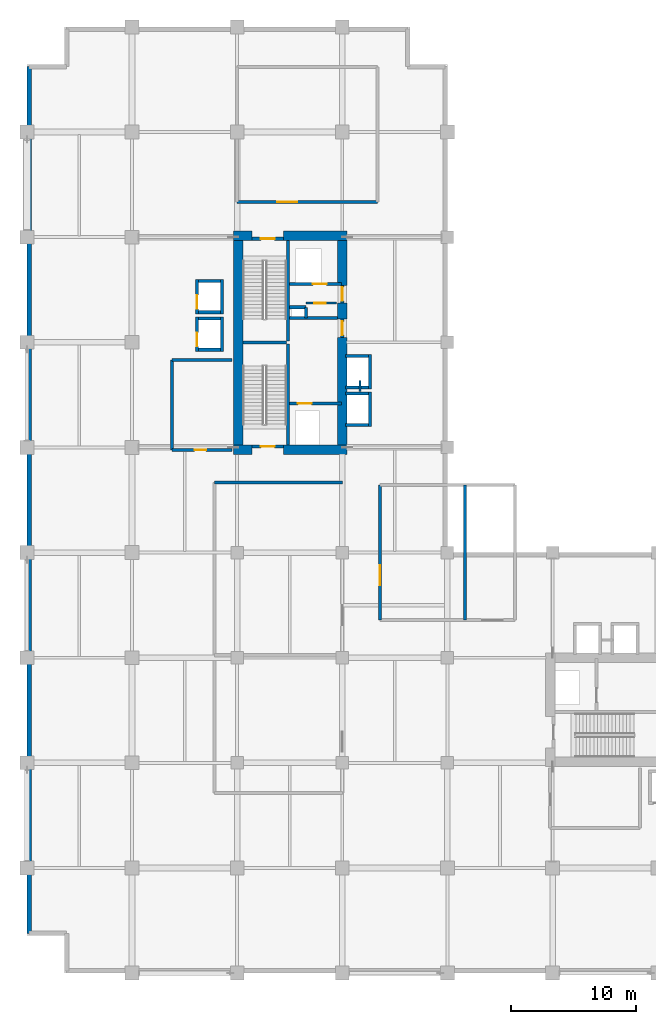
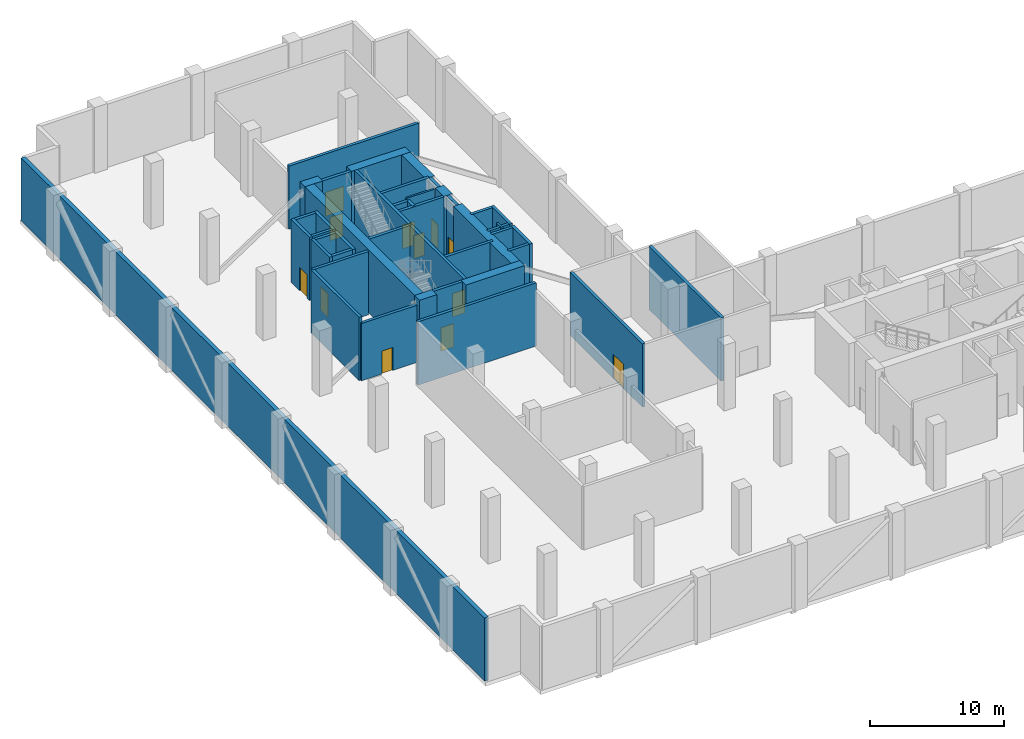
# One storey, part 13 of 16: 44 walls, 12 doors, 12 openings.
"""IFC4 building model written with IfcOpenShell, lengths in metres."""

import ifcopenshell
import ifcopenshell.guid

model = None  # the IFC model being written
_history = None  # IfcOwnerHistory: only IFC2X3 demands one
_inside = {}  # id of a spatial element -> (the spatial element, [elements in it])
_under = {}  # id of a project, library or spatial element -> (it, [spatial elements below it])
_declared = {}  # id of a project -> (the project, [libraries it declares])
_typed = {}  # id of a type object -> (the type object, [elements of that type])
_made_of = {}  # id of a material, layer set ... -> (it, [elements and type objects made of it])


def new_model(schema):
    """Start an empty IFC model of exactly this schema.

    Asked for "IFC4X3", IfcOpenShell would pick the latest addendum, in which some entities
    have other attributes; the version numbers below select the first issue.
    IFC2X3 requires an IfcOwnerHistory on every rooted entity: one is made here for all.
    """
    global model, _history
    if schema == "IFC4X3":
        model = ifcopenshell.file(schema_version=(4, 3, 0, 0))
    else:
        model = ifcopenshell.file(schema=schema)
    _inside.clear()
    _under.clear()
    _declared.clear()
    _typed.clear()
    _made_of.clear()
    _history = None
    if model.schema == "IFC2X3":
        org = make("IfcOrganization", Name="unknown")
        user = make(
            "IfcPersonAndOrganization",
            ThePerson=make("IfcPerson", FamilyName="unknown"),
            TheOrganization=org,
        )
        app = make(
            "IfcApplication",
            ApplicationDeveloper=org,
            Version="unknown",
            ApplicationFullName="unknown",
            ApplicationIdentifier="unknown",
        )
        _history = make(
            "IfcOwnerHistory",
            OwningUser=user,
            OwningApplication=app,
            ChangeAction="ADDED",
            CreationDate=0,
        )
    return model


def make(cls, **values):
    """One entity of the class cls with the attributes given. An attribute that is None is left unset."""
    return model.create_entity(
        cls, **{name: value for name, value in values.items() if value is not None}
    )


def rooted(cls, **values):
    """An entity with a GlobalId (a new one), such as an element, a storey or a relation."""
    return make(cls, GlobalId=ifcopenshell.guid.new(), OwnerHistory=_history, **values)


def si_unit(unit_type, name, prefix=None):
    """IfcSIUnit, for example si_unit("LENGTHUNIT", "METRE", prefix="MILLI")."""
    return make("IfcSIUnit", UnitType=unit_type, Prefix=prefix, Name=name)


def assignment(units):
    """IfcUnitAssignment: the units of a project."""
    return None if units is None else make("IfcUnitAssignment", Units=units)


def point(xyz):
    """IfcCartesianPoint."""
    return None if xyz is None else make("IfcCartesianPoint", Coordinates=xyz)


def direction(xyz):
    """IfcDirection."""
    return None if xyz is None else make("IfcDirection", DirectionRatios=xyz)


def frame(location, z_axis=None, x_axis=None):
    """IfcAxis2Placement3D, a coordinate frame: its origin and axes. An axis left out is left unset."""
    return make(
        "IfcAxis2Placement3D",
        Location=point(location),
        Axis=direction(z_axis),
        RefDirection=direction(x_axis),
    )


def frame_2d(location, x_axis=None):
    """IfcAxis2Placement2D, a coordinate frame in the plane: its origin and x axis."""
    return make(
        "IfcAxis2Placement2D", Location=point(location), RefDirection=direction(x_axis)
    )


def origin():
    """The frame at (0, 0, 0) with its axes left unset."""
    return frame((0.0, 0.0, 0.0))


def place(relative_to, where):
    """IfcLocalPlacement: puts the frame where relative to a parent placement (None: the world)."""
    return make(
        "IfcLocalPlacement", PlacementRelTo=relative_to, RelativePlacement=where
    )


def context(
    kind, dimensions, precision=None, world=None, true_north=None, identifier=None
):
    """IfcGeometricRepresentationContext, for example the 3D "Model" context."""
    return make(
        "IfcGeometricRepresentationContext",
        ContextIdentifier=identifier,
        ContextType=kind,
        CoordinateSpaceDimension=dimensions,
        Precision=precision,
        WorldCoordinateSystem=world,
        TrueNorth=true_north,
    )


def subcontext(parent, identifier, kind, view, scale=None):
    """IfcGeometricRepresentationSubContext, for example "Body" below "Model"."""
    return make(
        "IfcGeometricRepresentationSubContext",
        ContextIdentifier=identifier,
        ContextType=kind,
        ParentContext=parent,
        TargetScale=scale,
        TargetView=view,
    )


def project(units=None, contexts=None):
    """IfcProject with its units and contexts."""
    return rooted(
        "IfcProject",
        Name="project",
        RepresentationContexts=contexts,
        UnitsInContext=assignment(units),
    )


def spatial(cls, under=None, at=None, **own):
    """A site, building, storey or space (cls), placed at a placement, below another one or the project."""
    s = rooted(cls, ObjectPlacement=at, **own)
    if under is not None:
        _under.setdefault(under.id(), (under, []))[1].append(s)
    return s


def profile(cls, at=None, kind="AREA", **sizes):
    """A parametric profile (cls). Its sizes go by their IFC names, for example OverallWidth=200.0."""
    return make(cls, ProfileType=kind, Position=at, **sizes)


def rectangle(**sizes):
    """IfcRectangleProfileDef."""
    return profile("IfcRectangleProfileDef", **sizes)


def extrude(swept, where, along, depth):
    """IfcExtrudedAreaSolid: the profile swept, set in the frame where, extruded along a direction by depth."""
    return make(
        "IfcExtrudedAreaSolid",
        SweptArea=swept,
        Position=where,
        ExtrudedDirection=direction(along),
        Depth=depth,
    )


def shape(context_of_items, identifier, shape_type, items):
    """IfcShapeRepresentation: the items that make up one representation, for example the "Body"."""
    return make(
        "IfcShapeRepresentation",
        ContextOfItems=context_of_items,
        RepresentationIdentifier=identifier,
        RepresentationType=shape_type,
        Items=items,
    )


def material(Name=None, Category=None):
    """IfcMaterial."""
    return make("IfcMaterial", Name=Name, Category=Category)


def layer(
    of_material, thickness, ventilated=None, Name=None, Category=None, Priority=None
):
    """IfcMaterialLayer: one layer of a wall or slab, of a material (None: an air gap)."""
    return make(
        "IfcMaterialLayer",
        Material=of_material,
        LayerThickness=thickness,
        IsVentilated=ventilated,
        Name=Name,
        Category=Category,
        Priority=Priority,
    )


def layer_set(layers, Name=None):
    """IfcMaterialLayerSet."""
    return make("IfcMaterialLayerSet", MaterialLayers=layers, LayerSetName=Name)


def made_of(thing, what):
    """Note that an element or type object is made of a material, layer set ...; save() writes the relation."""
    if what is not None:
        _made_of.setdefault(what.id(), (what, []))[1].append(thing)
    return thing


def type_object(cls, material=None, **own):
    """A type object (cls), such as IfcWallType, which elements share."""
    return made_of(rooted(cls, **own), material)


def element(
    cls,
    number,
    at=None,
    inside=None,
    cuts=None,
    type_object=None,
    material=None,
    context=None,
    identifier="Body",
    shape_type=None,
    held_by="IfcProductDefinitionShape",
    body=None,
    shapes=None,
    **own,
):
    """One element of the class cls, such as IfcWall. Its Tag is "e" and its number.

    at: its placement. inside: the storey or other place that contains it. cuts: it is an
    opening in that element (IfcRelVoidsElement). A single representation is given by context,
    identifier, shape_type and body (its items); several are given by shapes. held_by: the class
    of the entity that holds the representations. save() writes the other relations.
    """
    e = rooted(cls, Tag="e%d" % number, ObjectPlacement=at, **own)
    if body is not None:
        shapes = [shape(context, identifier, shape_type, body)]
    if shapes is not None:
        e.Representation = make(held_by, Representations=shapes)
    if inside is not None:
        _inside.setdefault(inside.id(), (inside, []))[1].append(e)
    if cuts is not None:
        rooted(
            "IfcRelVoidsElement", RelatingBuildingElement=cuts, RelatedOpeningElement=e
        )
    if type_object is not None:
        _typed.setdefault(type_object.id(), (type_object, []))[1].append(e)
    return made_of(e, material)


def fill(opening, filler):
    """IfcRelFillsElement: the door or window that sits in an opening."""
    return rooted(
        "IfcRelFillsElement",
        RelatingOpeningElement=opening,
        RelatedBuildingElement=filler,
    )


def aggregate(whole, parts):
    """IfcRelAggregates: a whole, such as a stair, and the parts it consists of."""
    return rooted("IfcRelAggregates", RelatingObject=whole, RelatedObjects=parts)


def save(model, path):
    """Write the relations noted so far, then the file.

    IfcRelAggregates (storeys below a building ...), IfcRelContainedInSpatialStructure (elements
    in a storey), IfcRelDefinesByType, IfcRelAssociatesMaterial and IfcRelDeclares: one each for
    every whole, place, type object, material and project.
    """
    for whole, parts in _under.values():
        aggregate(whole, parts)
    for where, things in _inside.values():
        rooted(
            "IfcRelContainedInSpatialStructure",
            RelatedElements=things,
            RelatingStructure=where,
        )
    for kind, things in _typed.values():
        rooted("IfcRelDefinesByType", RelatedObjects=things, RelatingType=kind)
    for what, things in _made_of.values():
        rooted("IfcRelAssociatesMaterial", RelatedObjects=things, RelatingMaterial=what)
    for by, libraries in _declared.values():
        rooted("IfcRelDeclares", RelatingContext=by, RelatedDefinitions=libraries)
    model.write(path)


model = new_model("IFC4")

# Units and contexts
model_context = context("Model", 3, precision=1e-05, world=origin(), true_north=direction((0.0, 1.0)))
body_context = subcontext(model_context, "Body", "Model", "MODEL_VIEW")
ifc_project = project(units=[si_unit("LENGTHUNIT", "METRE"), si_unit("AREAUNIT", "SQUARE_METRE"), si_unit("VOLUMEUNIT", "CUBIC_METRE"), si_unit("PLANEANGLEUNIT", "RADIAN"), si_unit("MASSUNIT", "GRAM", prefix="KILO")], contexts=[model_context])

# Site, building, storey
site_placement = place(None, origin())
site = spatial("IfcSite", under=ifc_project, at=site_placement, CompositionType="ELEMENT")
building_placement = place(site_placement, origin())
building = spatial("IfcBuilding", under=site, at=building_placement, Name="Koriwani Terraces Tower", CompositionType="ELEMENT")
storey_placement = place(building_placement, frame((0.0, 0.0, 162.0)))
storey = spatial("IfcBuildingStorey", under=building, at=storey_placement, Name="L39", CompositionType="ELEMENT", Elevation=162.0)

# Walls
ifc_material_1 = material(Name="Concrete C60/75", Category="concrete")
ifc_layer_1 = layer(ifc_material_1, 0.75, Name="Concrete C60/75")
ifc_layer_set_1 = layer_set([ifc_layer_1], Name="Concrete C60/75")
wall_type_1 = type_object("IfcWallType", Name="WALL_CORE_RC_750", PredefinedType="SHEAR", material=ifc_layer_set_1)
wall_1_placement = place(storey_placement, frame((16.5, 41.824951171875, 0.0), z_axis=(0.0, 0.0, 1.0), x_axis=(1.0, 0.0, 0.0)))
element("IfcWall", 1, at=wall_1_placement, inside=storey, type_object=wall_type_1, Name="L39 West Split Core Shear Wall S1", PredefinedType="SHEAR", context=body_context, shape_type="SweptSolid", body=[
    extrude(rectangle(XDim=1.5, YDim=0.75, at=frame_2d((0.75, 0.0))), origin(), (0.0, 0.0, 1.0), 5.77001953125),
])
wall_2_placement = place(storey_placement, frame((20.5, 41.824951171875, 0.0), z_axis=(0.0, 0.0, 1.0), x_axis=(1.0, 0.0, 0.0)))
element("IfcWall", 2, at=wall_2_placement, inside=storey, type_object=wall_type_1, Name="L39 West Split Core Shear Wall S2", PredefinedType="SHEAR", context=body_context, shape_type="SweptSolid", body=[
    extrude(rectangle(XDim=5.074951171875, YDim=0.75, at=frame_2d((2.53759765625, 0.0))), origin(), (0.0, 0.0, 1.0), 5.77001953125),
])
wall_3_placement = place(storey_placement, frame((16.5, 58.925048828125, 0.0), z_axis=(0.0, 0.0, 1.0), x_axis=(1.0, 0.0, 0.0)))
element("IfcWall", 3, at=wall_3_placement, inside=storey, type_object=wall_type_1, Name="L39 West Split Core Shear Wall N1", PredefinedType="SHEAR", context=body_context, shape_type="SweptSolid", body=[
    extrude(rectangle(XDim=1.5, YDim=0.75, at=frame_2d((0.75, 0.0))), origin(), (0.0, 0.0, 1.0), 5.77001953125),
])
wall_4_placement = place(storey_placement, frame((20.5, 58.925048828125, 0.0), z_axis=(0.0, 0.0, 1.0), x_axis=(1.0, 0.0, 0.0)))
element("IfcWall", 4, at=wall_4_placement, inside=storey, type_object=wall_type_1, Name="L39 West Split Core Shear Wall N2", PredefinedType="SHEAR", context=body_context, shape_type="SweptSolid", body=[
    extrude(rectangle(XDim=5.074951171875, YDim=0.75, at=frame_2d((2.53759765625, 0.0))), origin(), (0.0, 0.0, 1.0), 5.77001953125),
])
wall_5_placement = place(storey_placement, frame((16.875, 42.199951171875, 0.0), z_axis=(0.0, 0.0, 1.0), x_axis=(0.0, 1.0, 0.0)))
element("IfcWall", 5, at=wall_5_placement, inside=storey, type_object=wall_type_1, Name="L39 West Split Core Shear Wall W1", PredefinedType="SHEAR", context=body_context, shape_type="SweptSolid", body=[
    extrude(rectangle(XDim=16.35009765625, YDim=0.75, at=frame_2d((8.175048828125, 0.0))), origin(), (0.0, 0.0, 1.0), 5.77001953125),
])
wall_6_placement = place(storey_placement, frame((25.199951171875, 42.199951171875, 0.0), z_axis=(0.0, 0.0, 1.0), x_axis=(0.0, 1.0, 0.0)))
element("IfcWall", 6, at=wall_6_placement, inside=storey, type_object=wall_type_1, Name="L39 West Split Core Shear Wall E1", PredefinedType="SHEAR", context=body_context, shape_type="SweptSolid", body=[
    extrude(rectangle(XDim=8.60009765625, YDim=0.75, at=frame_2d((4.300048828125, 0.0))), origin(), (0.0, 0.0, 1.0), 5.77001953125),
])
wall_7_placement = place(storey_placement, frame((25.199951171875, 52.280029296875, 0.0), z_axis=(0.0, 0.0, 1.0), x_axis=(0.0, 1.0, 0.0)))
element("IfcWall", 7, at=wall_7_placement, inside=storey, type_object=wall_type_1, Name="L39 West Split Core Shear Wall E2", PredefinedType="SHEAR", context=body_context, shape_type="SweptSolid", body=[
    extrude(rectangle(XDim=1.27001953125, YDim=0.75, at=frame_2d((0.635009765625, 0.0))), origin(), (0.0, 0.0, 1.0), 5.77001953125),
])
wall_8_placement = place(storey_placement, frame((25.199951171875, 54.949951171875, 0.0), z_axis=(0.0, 0.0, 1.0), x_axis=(0.0, 1.0, 0.0)))
element("IfcWall", 8, at=wall_8_placement, inside=storey, type_object=wall_type_1, Name="L39 West Split Core Shear Wall E3", PredefinedType="SHEAR", context=body_context, shape_type="SweptSolid", body=[
    extrude(rectangle(XDim=3.60009765625, YDim=0.75, at=frame_2d((1.800048828125, 0.0))), origin(), (0.0, 0.0, 1.0), 5.77001953125),
])
ifc_material_2 = material(Name="Concrete C50/60", Category="concrete")
ifc_layer_2 = layer(ifc_material_2, 0.35009765625, Name="Concrete C50/60")
ifc_layer_set_2 = layer_set([ifc_layer_2], Name="Concrete C50/60")
wall_type_2 = type_object("IfcWallType", Name="WALL_EXT_BRUTALIST_350", PredefinedType="STANDARD", material=ifc_layer_set_2)
wall_9_placement = place(storey_placement, frame((0.175048828125, 3.175048828125, 0.0), z_axis=(0.0, 0.0, 1.0), x_axis=(0.0, 1.0, 0.0)))
element("IfcWall", 9, at=wall_9_placement, inside=storey, type_object=wall_type_2, Name="L39 Fair-Faced Brutalist Exterior Wall (W)", PredefinedType="STANDARD", context=body_context, shape_type="SweptSolid", body=[
    extrude(rectangle(XDim=69.25, YDim=0.35009765625, at=frame_2d((34.625, 0.0))), origin(), (0.0, 0.0, 1.0), 5.77001953125),
])
ifc_material_3 = material(Name="Concrete C40/50", Category="concrete")
ifc_layer_3 = layer(ifc_material_3, 0.25, Name="Concrete C40/50")
ifc_layer_set_3 = layer_set([ifc_layer_3], Name="Concrete C40/50")
wall_type_3 = type_object("IfcWallType", Name="WALL_SHAFT_RATED_250", PredefinedType="SOLIDWALL", material=ifc_layer_set_3)
for number, where, z_axis, x_axis, name in (
    (10, (20.875, 42.199951171875, 0.0), (0.0, 0.0, 1.0), (0.0, 1.0, 0.0), "L39 West Split Core Web Wall MID1"),
    (11, (20.875, 50.5, 0.0), (0.0, 0.0, 1.0), (0.0, 1.0, 0.0), "L39 West Split Core Web Wall MID2"),
):
    element("IfcWall", number, at=place(storey_placement, frame(where, z_axis=z_axis, x_axis=x_axis)), inside=storey, type_object=wall_type_3, Name=name, PredefinedType="SOLIDWALL", context=body_context, shape_type="SweptSolid", body=[
        extrude(rectangle(XDim=8.050048828125, YDim=0.25, at=frame_2d((4.02490234375, 0.0))), origin(), (0.0, 0.0, 1.0), 5.77001953125),
    ])
wall_10_placement = place(storey_placement, frame((17.25, 50.375, 0.0), z_axis=(0.0, 0.0, 1.0), x_axis=(1.0, 0.0, 0.0)))
element("IfcWall", 12, at=wall_10_placement, inside=storey, type_object=wall_type_3, Name="L39 West Split Core Stair Dividing Wall", PredefinedType="SOLIDWALL", context=body_context, shape_type="SweptSolid", body=[
    extrude(rectangle(XDim=3.5, YDim=0.25, at=frame_2d((1.75, 0.0))), origin(), (0.0, 0.0, 1.0), 5.77001953125),
])

# Wall, opening, door
wall_11_placement = place(storey_placement, frame((18.0, 42.074951171875, 0.0), z_axis=(0.0, 0.0, 1.0), x_axis=(1.0, 0.0, 0.0)))
wall_11 = element("IfcWall", 13, at=wall_11_placement, inside=storey, type_object=wall_type_3, Name="L39 Interior Wall WIN-CW-L39-STS", PredefinedType="SOLIDWALL", context=body_context, shape_type="SweptSolid", body=[
    extrude(rectangle(XDim=2.5, YDim=0.25, at=frame_2d((1.25, 0.0))), origin(), (0.0, 0.0, 1.0), 5.77001953125),
])
opening_1_placement = place(wall_11_placement, frame((0.699951171875, 0.0, 0.0)))
opening_1 = element("IfcOpeningElement", 14, at=opening_1_placement, cuts=wall_11, Name="Opening D-03", PredefinedType="OPENING", context=body_context, shape_type="SweptSolid", body=[
    extrude(rectangle(XDim=1.10009765625, YDim=2.14990234375, at=frame_2d((0.550048828125, 1.074951171875))), frame((0.0, 0.135009765625, 0.0), z_axis=(0.0, -1.0, 0.0), x_axis=(1.0, 0.0, 0.0)), (0.0, 0.0, 1.0), 0.27001953125),
])
ifc_material_4 = material(Name="Steel ASTM A572 Grade 50", Category="steel")
door_type_1 = type_object("IfcDoorType", Name="DOOR_STAIR_FIRE_1100X2150", OperationType="NOTDEFINED", PredefinedType="DOOR", material=ifc_material_4)
door_1_placement = place(opening_1_placement, origin())
door_1 = element("IfcDoor", 15, at=door_1_placement, inside=storey, type_object=door_type_1, Name="L39 Exit Stair ST-W1 Door", OperationType="SINGLE_SWING_LEFT", OverallHeight=2.14990234375, OverallWidth=1.10009765625, PredefinedType="DOOR", context=body_context, shape_type="SweptSolid", body=[
    extrude(rectangle(XDim=1.10009765625, YDim=2.14990234375, at=frame_2d((0.550048828125, 1.074951171875))), frame((0.0, 0.02490234375, 0.0), z_axis=(0.0, -1.0, 0.0), x_axis=(1.0, 0.0, 0.0)), (0.0, 0.0, 1.0), 0.050048828125),
])
fill(opening_1, door_1)

wall_12_placement = place(storey_placement, frame((18.0, 58.675048828125, 0.0), z_axis=(0.0, 0.0, 1.0), x_axis=(1.0, 0.0, 0.0)))
wall_12 = element("IfcWall", 16, at=wall_12_placement, inside=storey, type_object=wall_type_3, Name="L39 Interior Wall WIN-CW-L39-STN", PredefinedType="SOLIDWALL", context=body_context, shape_type="SweptSolid", body=[
    extrude(rectangle(XDim=2.5, YDim=0.25, at=frame_2d((1.25, 0.0))), origin(), (0.0, 0.0, 1.0), 5.77001953125),
])
opening_2_placement = place(wall_12_placement, frame((0.699951171875, 0.0, 0.0)))
opening_2 = element("IfcOpeningElement", 17, at=opening_2_placement, cuts=wall_12, Name="Opening D-03", PredefinedType="OPENING", context=body_context, shape_type="SweptSolid", body=[
    extrude(rectangle(XDim=1.10009765625, YDim=2.14990234375, at=frame_2d((0.550048828125, 1.074951171875))), frame((0.0, 0.135009765625, 0.0), z_axis=(0.0, -1.0, 0.0), x_axis=(1.0, 0.0, 0.0)), (0.0, 0.0, 1.0), 0.27001953125),
])
door_2_placement = place(opening_2_placement, origin())
door_2 = element("IfcDoor", 18, at=door_2_placement, inside=storey, type_object=door_type_1, Name="L39 Exit Stair ST-W2 Door", OperationType="SINGLE_SWING_RIGHT", OverallHeight=2.14990234375, OverallWidth=1.10009765625, PredefinedType="DOOR", context=body_context, shape_type="SweptSolid", body=[
    extrude(rectangle(XDim=1.10009765625, YDim=2.14990234375, at=frame_2d((0.550048828125, 1.074951171875))), frame((0.0, 0.02490234375, 0.0), z_axis=(0.0, -1.0, 0.0), x_axis=(1.0, 0.0, 0.0)), (0.0, 0.0, 1.0), 0.050048828125),
])
fill(opening_2, door_2)

wall_13_placement = place(storey_placement, frame((21.0, 45.5, 0.0), z_axis=(0.0, 0.0, 1.0), x_axis=(1.0, 0.0, 0.0)))
wall_13 = element("IfcWall", 19, at=wall_13_placement, inside=storey, type_object=wall_type_3, Name="L39 Interior Wall WIN-CW-L39-FE", PredefinedType="SOLIDWALL", context=body_context, shape_type="SweptSolid", body=[
    extrude(rectangle(XDim=4.14990234375, YDim=0.25, at=frame_2d((2.074951171875, 0.0))), origin(), (0.0, 0.0, 1.0), 5.77001953125),
])
opening_3_placement = place(wall_13_placement, frame((0.64990234375, 0.0, 0.0)))
opening_3 = element("IfcOpeningElement", 20, at=opening_3_placement, cuts=wall_13, Name="Opening LD-01", PredefinedType="OPENING", context=body_context, shape_type="SweptSolid", body=[
    extrude(rectangle(XDim=1.10009765625, YDim=2.14990234375, at=frame_2d((0.550048828125, 1.074951171875))), frame((0.0, 0.135009765625, 0.0), z_axis=(0.0, -1.0, 0.0), x_axis=(1.0, 0.0, 0.0)), (0.0, 0.0, 1.0), 0.27001953125),
])
door_type_2 = type_object("IfcDoorType", Name="DOOR_LIFT_LANDING_1100X2200", OperationType="NOTDEFINED", PredefinedType="DOOR", material=ifc_material_4)
door_3_placement = place(opening_3_placement, origin())
door_3 = element("IfcDoor", 21, at=door_3_placement, inside=storey, type_object=door_type_2, Name="L39 Firefighting Lift FE-01 Landing Door", OperationType="SLIDING_TO_LEFT", OverallHeight=2.14990234375, OverallWidth=1.10009765625, PredefinedType="DOOR", context=body_context, shape_type="SweptSolid", body=[
    extrude(rectangle(XDim=1.10009765625, YDim=2.14990234375, at=frame_2d((0.550048828125, 1.074951171875))), frame((0.0, 0.02490234375, 0.0), z_axis=(0.0, -1.0, 0.0), x_axis=(1.0, 0.0, 0.0)), (0.0, 0.0, 1.0), 0.050048828125),
])
fill(opening_3, door_3)

wall_14_placement = place(storey_placement, frame((25.199951171875, 50.800048828125, 0.0), z_axis=(0.0, 0.0, 1.0), x_axis=(0.0, 1.0, 0.0)))
wall_14 = element("IfcWall", 22, at=wall_14_placement, inside=storey, type_object=wall_type_3, Name="L39 Interior Wall WIN-CW-L39-EP", PredefinedType="SOLIDWALL", context=body_context, shape_type="SweptSolid", body=[
    extrude(rectangle(XDim=1.47998046875, YDim=0.25, at=frame_2d((0.739990234375, 0.0))), origin(), (0.0, 0.0, 1.0), 5.77001953125),
])
opening_4_placement = place(wall_14_placement, frame((0.179931640625, 0.0, 0.0)))
opening_4 = element("IfcOpeningElement", 23, at=opening_4_placement, cuts=wall_14, Name="Opening D-03", PredefinedType="OPENING", context=body_context, shape_type="SweptSolid", body=[
    extrude(rectangle(XDim=1.10009765625, YDim=2.14990234375, at=frame_2d((0.550048828125, 1.074951171875))), frame((0.0, 0.135009765625, 0.0), z_axis=(0.0, -1.0, 0.0), x_axis=(1.0, 0.0, 0.0)), (0.0, 0.0, 1.0), 0.27001953125),
])
door_4_placement = place(opening_4_placement, origin())
door_4 = element("IfcDoor", 24, at=door_4_placement, inside=storey, type_object=door_type_1, Name="L39 West Firefighting Lobby Door", OperationType="SINGLE_SWING_LEFT", OverallHeight=2.14990234375, OverallWidth=1.10009765625, PredefinedType="DOOR", context=body_context, shape_type="SweptSolid", body=[
    extrude(rectangle(XDim=1.10009765625, YDim=2.14990234375, at=frame_2d((0.550048828125, 1.074951171875))), frame((0.0, 0.02490234375, 0.0), z_axis=(0.0, -1.0, 0.0), x_axis=(1.0, 0.0, 0.0)), (0.0, 0.0, 1.0), 0.050048828125),
])
fill(opening_4, door_4)

# Wall
wall_15_placement = place(storey_placement, frame((21.0, 52.340087890625, 0.0), z_axis=(0.0, 0.0, 1.0), x_axis=(1.0, 0.0, 0.0)))
element("IfcWall", 25, at=wall_15_placement, inside=storey, type_object=wall_type_3, Name="L39 Interior Wall WIN-CW-L39-FFN", PredefinedType="SOLIDWALL", context=body_context, shape_type="SweptSolid", body=[
    extrude(rectangle(XDim=3.824951171875, YDim=0.25, at=frame_2d((1.91259765625, 0.0))), origin(), (0.0, 0.0, 1.0), 5.77001953125),
])

# Wall, opening, door
wall_16_placement = place(storey_placement, frame((21.0, 55.050048828125, 0.0), z_axis=(0.0, 0.0, 1.0), x_axis=(1.0, 0.0, 0.0)))
wall_16 = element("IfcWall", 26, at=wall_16_placement, inside=storey, type_object=wall_type_3, Name="L39 Interior Wall WIN-CW-L39-SE", PredefinedType="SOLIDWALL", context=body_context, shape_type="SweptSolid", body=[
    extrude(rectangle(XDim=4.14990234375, YDim=0.25, at=frame_2d((2.074951171875, 0.0))), origin(), (0.0, 0.0, 1.0), 5.77001953125),
])
opening_5_placement = place(wall_16_placement, frame((1.85009765625, 0.0, 0.0)))
opening_5 = element("IfcOpeningElement", 27, at=opening_5_placement, cuts=wall_16, Name="Opening LD-01", PredefinedType="OPENING", context=body_context, shape_type="SweptSolid", body=[
    extrude(rectangle(XDim=1.10009765625, YDim=2.14990234375, at=frame_2d((0.550048828125, 1.074951171875))), frame((0.0, 0.135009765625, 0.0), z_axis=(0.0, -1.0, 0.0), x_axis=(1.0, 0.0, 0.0)), (0.0, 0.0, 1.0), 0.27001953125),
])
door_5_placement = place(opening_5_placement, origin())
door_5 = element("IfcDoor", 28, at=door_5_placement, inside=storey, type_object=door_type_2, Name="L39 Goods Lift SE-01 Landing Door", OperationType="SLIDING_TO_LEFT", OverallHeight=2.14990234375, OverallWidth=1.10009765625, PredefinedType="DOOR", context=body_context, shape_type="SweptSolid", body=[
    extrude(rectangle(XDim=1.10009765625, YDim=2.14990234375, at=frame_2d((0.550048828125, 1.074951171875))), frame((0.0, 0.02490234375, 0.0), z_axis=(0.0, -1.0, 0.0), x_axis=(1.0, 0.0, 0.0)), (0.0, 0.0, 1.0), 0.050048828125),
])
fill(opening_5, door_5)

wall_17_placement = place(storey_placement, frame((25.199951171875, 53.550048828125, 0.0), z_axis=(0.0, 0.0, 1.0), x_axis=(0.0, 1.0, 0.0)))
wall_17 = element("IfcWall", 29, at=wall_17_placement, inside=storey, type_object=wall_type_3, Name="L39 Interior Wall WIN-CW-L39-EP2", PredefinedType="SOLIDWALL", context=body_context, shape_type="SweptSolid", body=[
    extrude(rectangle(XDim=1.39990234375, YDim=0.25, at=frame_2d((0.699951171875, 0.0))), origin(), (0.0, 0.0, 1.0), 5.77001953125),
])
opening_6_placement = place(wall_17_placement, frame((0.14990234375, 0.0, 0.0)))
opening_6 = element("IfcOpeningElement", 30, at=opening_6_placement, cuts=wall_17, Name="Opening D-03", PredefinedType="OPENING", context=body_context, shape_type="SweptSolid", body=[
    extrude(rectangle(XDim=1.10009765625, YDim=2.14990234375, at=frame_2d((0.550048828125, 1.074951171875))), frame((0.0, 0.135009765625, 0.0), z_axis=(0.0, -1.0, 0.0), x_axis=(1.0, 0.0, 0.0)), (0.0, 0.0, 1.0), 0.27001953125),
])
door_6_placement = place(opening_6_placement, origin())
door_6 = element("IfcDoor", 31, at=door_6_placement, inside=storey, type_object=door_type_1, Name="L39 West Goods Lift Lobby Door", OperationType="SINGLE_SWING_RIGHT", OverallHeight=2.14990234375, OverallWidth=1.10009765625, PredefinedType="DOOR", context=body_context, shape_type="SweptSolid", body=[
    extrude(rectangle(XDim=1.10009765625, YDim=2.14990234375, at=frame_2d((0.550048828125, 1.074951171875))), frame((0.0, 0.02490234375, 0.0), z_axis=(0.0, -1.0, 0.0), x_axis=(1.0, 0.0, 0.0)), (0.0, 0.0, 1.0), 0.050048828125),
])
fill(opening_6, door_6)

# Walls
wall_18_placement = place(storey_placement, frame((21.0, 53.199951171875, 0.0), z_axis=(0.0, 0.0, 1.0), x_axis=(1.0, 0.0, 0.0)))
element("IfcWall", 32, at=wall_18_placement, inside=storey, type_object=wall_type_3, Name="L39 Interior Wall WIN-CW-L39-RS1", PredefinedType="SOLIDWALL", context=body_context, shape_type="SweptSolid", body=[
    extrude(rectangle(XDim=1.300048828125, YDim=0.25, at=frame_2d((0.64990234375, 0.0))), origin(), (0.0, 0.0, 1.0), 5.77001953125),
])
wall_19_placement = place(storey_placement, frame((22.300048828125, 52.360107421875, 0.0), z_axis=(0.0, 0.0, 1.0), x_axis=(0.0, 1.0, 0.0)))
element("IfcWall", 33, at=wall_19_placement, inside=storey, type_object=wall_type_3, Name="L39 Interior Wall WIN-CW-L39-RS2", PredefinedType="SOLIDWALL", context=body_context, shape_type="SweptSolid", body=[
    extrude(rectangle(XDim=0.83984375, YDim=0.25, at=frame_2d((0.419921875, 0.0))), origin(), (0.0, 0.0, 1.0), 5.77001953125),
])

# Wall, opening, door
wall_20_placement = place(storey_placement, frame((13.60009765625, 49.675048828125, 0.0), z_axis=(0.0, 0.0, 1.0), x_axis=(0.0, 1.0, 0.0)))
wall_20 = element("IfcWall", 34, at=wall_20_placement, inside=storey, type_object=wall_type_3, Name="L39 Interior Wall WIN-LF-PE-M1-L39-F", PredefinedType="SOLIDWALL", context=body_context, shape_type="SweptSolid", body=[
    extrude(rectangle(XDim=2.75, YDim=0.25, at=frame_2d((1.375, 0.0))), origin(), (0.0, 0.0, 1.0), 5.77001953125),
])
opening_7_placement = place(wall_20_placement, frame((0.39990234375, 0.0, 0.0)))
opening_7 = element("IfcOpeningElement", 35, at=opening_7_placement, cuts=wall_20, Name="Opening LD-01", PredefinedType="OPENING", context=body_context, shape_type="SweptSolid", body=[
    extrude(rectangle(XDim=1.10009765625, YDim=2.14990234375, at=frame_2d((0.550048828125, 1.074951171875))), frame((0.0, 0.135009765625, 0.0), z_axis=(0.0, -1.0, 0.0), x_axis=(1.0, 0.0, 0.0)), (0.0, 0.0, 1.0), 0.27001953125),
])
door_7_placement = place(opening_7_placement, origin())
door_7 = element("IfcDoor", 36, at=door_7_placement, inside=storey, type_object=door_type_2, Name="L39 Passenger Lift PE-M1 Landing Door", OperationType="SLIDING_TO_LEFT", OverallHeight=2.14990234375, OverallWidth=1.10009765625, PredefinedType="DOOR", context=body_context, shape_type="SweptSolid", body=[
    extrude(rectangle(XDim=1.10009765625, YDim=2.14990234375, at=frame_2d((0.550048828125, 1.074951171875))), frame((0.0, 0.02490234375, 0.0), z_axis=(0.0, -1.0, 0.0), x_axis=(1.0, 0.0, 0.0)), (0.0, 0.0, 1.0), 0.050048828125),
])
fill(opening_7, door_7)

# Walls
wall_21_placement = place(storey_placement, frame((15.60009765625, 49.675048828125, 0.0), z_axis=(0.0, 0.0, 1.0), x_axis=(0.0, 1.0, 0.0)))
element("IfcWall", 37, at=wall_21_placement, inside=storey, type_object=wall_type_3, Name="L39 Interior Wall WIN-LF-PE-M1-L39-B", PredefinedType="SOLIDWALL", context=body_context, shape_type="SweptSolid", body=[
    extrude(rectangle(XDim=2.75, YDim=0.25, at=frame_2d((1.375, 0.0))), origin(), (0.0, 0.0, 1.0), 5.77001953125),
])
for number, where, z_axis, x_axis, name in (
    (38, (13.72509765625, 49.800048828125, 0.0), (0.0, 0.0, 1.0), (1.0, 0.0, 0.0), "L39 Interior Wall WIN-LF-PE-M1-L39-S"),
    (39, (13.72509765625, 52.300048828125, 0.0), (0.0, 0.0, 1.0), (1.0, 0.0, 0.0), "L39 Interior Wall WIN-LF-PE-M1-L39-N"),
):
    element("IfcWall", number, at=place(storey_placement, frame(where, z_axis=z_axis, x_axis=x_axis)), inside=storey, type_object=wall_type_3, Name=name, PredefinedType="SOLIDWALL", context=body_context, shape_type="SweptSolid", body=[
        extrude(rectangle(XDim=1.75, YDim=0.25, at=frame_2d((0.875, 0.0))), origin(), (0.0, 0.0, 1.0), 5.77001953125),
    ])

# Wall, opening, door
wall_22_placement = place(storey_placement, frame((13.60009765625, 52.675048828125, 0.0), z_axis=(0.0, 0.0, 1.0), x_axis=(0.0, 1.0, 0.0)))
wall_22 = element("IfcWall", 40, at=wall_22_placement, inside=storey, type_object=wall_type_3, Name="L39 Interior Wall WIN-LF-PE-M2-L39-F", PredefinedType="SOLIDWALL", context=body_context, shape_type="SweptSolid", body=[
    extrude(rectangle(XDim=2.75, YDim=0.25, at=frame_2d((1.375, 0.0))), origin(), (0.0, 0.0, 1.0), 5.77001953125),
])
opening_8_placement = place(wall_22_placement, frame((0.39990234375, 0.0, 0.0)))
opening_8 = element("IfcOpeningElement", 41, at=opening_8_placement, cuts=wall_22, Name="Opening LD-01", PredefinedType="OPENING", context=body_context, shape_type="SweptSolid", body=[
    extrude(rectangle(XDim=1.10009765625, YDim=2.14990234375, at=frame_2d((0.550048828125, 1.074951171875))), frame((0.0, 0.135009765625, 0.0), z_axis=(0.0, -1.0, 0.0), x_axis=(1.0, 0.0, 0.0)), (0.0, 0.0, 1.0), 0.27001953125),
])
door_8_placement = place(opening_8_placement, origin())
door_8 = element("IfcDoor", 42, at=door_8_placement, inside=storey, type_object=door_type_2, Name="L39 Passenger Lift PE-M2 Landing Door", OperationType="SLIDING_TO_LEFT", OverallHeight=2.14990234375, OverallWidth=1.10009765625, PredefinedType="DOOR", context=body_context, shape_type="SweptSolid", body=[
    extrude(rectangle(XDim=1.10009765625, YDim=2.14990234375, at=frame_2d((0.550048828125, 1.074951171875))), frame((0.0, 0.02490234375, 0.0), z_axis=(0.0, -1.0, 0.0), x_axis=(1.0, 0.0, 0.0)), (0.0, 0.0, 1.0), 0.050048828125),
])
fill(opening_8, door_8)

# Walls
wall_23_placement = place(storey_placement, frame((15.60009765625, 52.675048828125, 0.0), z_axis=(0.0, 0.0, 1.0), x_axis=(0.0, 1.0, 0.0)))
element("IfcWall", 43, at=wall_23_placement, inside=storey, type_object=wall_type_3, Name="L39 Interior Wall WIN-LF-PE-M2-L39-B", PredefinedType="SOLIDWALL", context=body_context, shape_type="SweptSolid", body=[
    extrude(rectangle(XDim=2.75, YDim=0.25, at=frame_2d((1.375, 0.0))), origin(), (0.0, 0.0, 1.0), 5.77001953125),
])
for number, where, z_axis, x_axis, name in (
    (44, (13.72509765625, 52.800048828125, 0.0), (0.0, 0.0, 1.0), (1.0, 0.0, 0.0), "L39 Interior Wall WIN-LF-PE-M2-L39-S"),
    (45, (13.72509765625, 55.300048828125, 0.0), (0.0, 0.0, 1.0), (1.0, 0.0, 0.0), "L39 Interior Wall WIN-LF-PE-M2-L39-N"),
):
    element("IfcWall", number, at=place(storey_placement, frame(where, z_axis=z_axis, x_axis=x_axis)), inside=storey, type_object=wall_type_3, Name=name, PredefinedType="SOLIDWALL", context=body_context, shape_type="SweptSolid", body=[
        extrude(rectangle(XDim=1.75, YDim=0.25, at=frame_2d((0.875, 0.0))), origin(), (0.0, 0.0, 1.0), 5.77001953125),
    ])
wall_24_placement = place(storey_placement, frame((27.39990234375, 43.675048828125, 0.0), z_axis=(0.0, 0.0, 1.0), x_axis=(0.0, 1.0, 0.0)))
element("IfcWall", 46, at=wall_24_placement, inside=storey, type_object=wall_type_3, Name="L39 Interior Wall WIN-LF-PE-H1-L39-F", PredefinedType="SOLIDWALL", context=body_context, shape_type="SweptSolid", body=[
    extrude(rectangle(XDim=2.75, YDim=0.25, at=frame_2d((1.375, 0.0))), origin(), (0.0, 0.0, 1.0), 5.77001953125),
])
for number, where, z_axis, x_axis, name in (
    (47, (25.449951171875, 43.800048828125, 0.0), (0.0, 0.0, 1.0), (1.0, 0.0, 0.0), "L39 Interior Wall WIN-LF-PE-H1-L39-S"),
    (48, (25.449951171875, 46.300048828125, 0.0), (0.0, 0.0, 1.0), (1.0, 0.0, 0.0), "L39 Interior Wall WIN-LF-PE-H1-L39-N"),
):
    element("IfcWall", number, at=place(storey_placement, frame(where, z_axis=z_axis, x_axis=x_axis)), inside=storey, type_object=wall_type_3, Name=name, PredefinedType="SOLIDWALL", context=body_context, shape_type="SweptSolid", body=[
        extrude(rectangle(XDim=1.824951171875, YDim=0.25, at=frame_2d((0.91259765625, 0.0))), origin(), (0.0, 0.0, 1.0), 5.77001953125),
    ])
wall_25_placement = place(storey_placement, frame((27.39990234375, 46.675048828125, 0.0), z_axis=(0.0, 0.0, 1.0), x_axis=(0.0, 1.0, 0.0)))
element("IfcWall", 49, at=wall_25_placement, inside=storey, type_object=wall_type_3, Name="L39 Interior Wall WIN-LF-PE-H2-L39-F", PredefinedType="SOLIDWALL", context=body_context, shape_type="SweptSolid", body=[
    extrude(rectangle(XDim=2.75, YDim=0.25, at=frame_2d((1.375, 0.0))), origin(), (0.0, 0.0, 1.0), 5.77001953125),
])
for number, where, z_axis, x_axis, name in (
    (50, (25.449951171875, 46.800048828125, 0.0), (0.0, 0.0, 1.0), (1.0, 0.0, 0.0), "L39 Interior Wall WIN-LF-PE-H2-L39-S"),
    (51, (25.449951171875, 49.300048828125, 0.0), (0.0, 0.0, 1.0), (1.0, 0.0, 0.0), "L39 Interior Wall WIN-LF-PE-H2-L39-N"),
):
    element("IfcWall", number, at=place(storey_placement, frame(where, z_axis=z_axis, x_axis=x_axis)), inside=storey, type_object=wall_type_3, Name=name, PredefinedType="SOLIDWALL", context=body_context, shape_type="SweptSolid", body=[
        extrude(rectangle(XDim=1.824951171875, YDim=0.25, at=frame_2d((0.91259765625, 0.0))), origin(), (0.0, 0.0, 1.0), 5.77001953125),
    ])

# Wall, opening, door
wall_26_placement = place(storey_placement, frame((16.800048828125, 61.60009765625, 0.0), z_axis=(0.0, 0.0, 1.0), x_axis=(1.0, 0.0, 0.0)))
wall_26 = element("IfcWall", 52, at=wall_26_placement, inside=storey, type_object=wall_type_3, Name="L39 Interior Wall WREF-W1-L39", PredefinedType="SOLIDWALL", context=body_context, shape_type="SweptSolid", body=[
    extrude(rectangle(XDim=11.199951171875, YDim=0.25, at=frame_2d((5.60009765625, 0.0))), origin(), (0.0, 0.0, 1.0), 5.77001953125),
])
opening_9_placement = place(wall_26_placement, frame((3.199951171875, 0.0, 0.0)))
opening_9 = element("IfcOpeningElement", 53, at=opening_9_placement, cuts=wall_26, Name="Opening D-08", PredefinedType="OPENING", context=body_context, shape_type="SweptSolid", body=[
    extrude(rectangle(XDim=1.60009765625, YDim=2.199951171875, at=frame_2d((0.800048828125, 1.10009765625))), frame((0.0, 0.135009765625, 0.0), z_axis=(0.0, -1.0, 0.0), x_axis=(1.0, 0.0, 0.0)), (0.0, 0.0, 1.0), 0.27001953125),
])
door_type_3 = type_object("IfcDoorType", Name="DOOR_PLANT_DOUBLE_1600X2200", OperationType="NOTDEFINED", PredefinedType="DOOR", material=ifc_material_4)
door_9_placement = place(opening_9_placement, origin())
door_9 = element("IfcDoor", 54, at=door_9_placement, inside=storey, type_object=door_type_3, Name="L39 West Fire Refuge Area Door", OperationType="SINGLE_SWING_LEFT", OverallHeight=2.199951171875, OverallWidth=1.60009765625, PredefinedType="DOOR", context=body_context, shape_type="SweptSolid", body=[
    extrude(rectangle(XDim=1.60009765625, YDim=2.199951171875, at=frame_2d((0.800048828125, 1.10009765625))), frame((0.0, 0.02490234375, 0.0), z_axis=(0.0, -1.0, 0.0), x_axis=(1.0, 0.0, 0.0)), (0.0, 0.0, 1.0), 0.050048828125),
])
fill(opening_9, door_9)

# Wall
wall_27_placement = place(storey_placement, frame((15.0, 39.199951171875, 0.0), z_axis=(0.0, 0.0, 1.0), x_axis=(1.0, 0.0, 0.0)))
element("IfcWall", 55, at=wall_27_placement, inside=storey, type_object=wall_type_3, Name="L39 Interior Wall WPL-L39-N", PredefinedType="SOLIDWALL", context=body_context, shape_type="SweptSolid", body=[
    extrude(rectangle(XDim=10.199951171875, YDim=0.25, at=frame_2d((5.10009765625, 0.0))), origin(), (0.0, 0.0, 1.0), 5.77001953125),
])

# Wall, opening, door
wall_28_placement = place(storey_placement, frame((28.199951171875, 28.199951171875, 0.0), z_axis=(0.0, 0.0, 1.0), x_axis=(0.0, 1.0, 0.0)))
wall_28 = element("IfcWall", 56, at=wall_28_placement, inside=storey, type_object=wall_type_3, Name="L39 Interior Wall WPL2-L39-W", PredefinedType="SOLIDWALL", context=body_context, shape_type="SweptSolid", body=[
    extrude(rectangle(XDim=10.800048828125, YDim=0.25, at=frame_2d((5.39990234375, 0.0))), origin(), (0.0, 0.0, 1.0), 5.77001953125),
])
opening_10_placement = place(wall_28_placement, frame((2.800048828125, 0.0, 0.0)))
opening_10 = element("IfcOpeningElement", 57, at=opening_10_placement, cuts=wall_28, Name="Opening D-08", PredefinedType="OPENING", context=body_context, shape_type="SweptSolid", body=[
    extrude(rectangle(XDim=1.60009765625, YDim=2.199951171875, at=frame_2d((0.800048828125, 1.10009765625))), frame((0.0, 0.135009765625, 0.0), z_axis=(0.0, -1.0, 0.0), x_axis=(1.0, 0.0, 0.0)), (0.0, 0.0, 1.0), 0.27001953125),
])
door_10_placement = place(opening_10_placement, origin())
door_10 = element("IfcDoor", 58, at=door_10_placement, inside=storey, type_object=door_type_3, Name="L39 Booster Pump and Tank Room Door", OperationType="SINGLE_SWING_LEFT", OverallHeight=2.199951171875, OverallWidth=1.60009765625, PredefinedType="DOOR", context=body_context, shape_type="SweptSolid", body=[
    extrude(rectangle(XDim=1.60009765625, YDim=2.199951171875, at=frame_2d((0.800048828125, 1.10009765625))), frame((0.0, 0.02490234375, 0.0), z_axis=(0.0, -1.0, 0.0), x_axis=(1.0, 0.0, 0.0)), (0.0, 0.0, 1.0), 0.050048828125),
])
fill(opening_10, door_10)

# Wall
wall_29_placement = place(storey_placement, frame((35.0, 28.199951171875, 0.0), z_axis=(0.0, 0.0, 1.0), x_axis=(0.0, 1.0, 0.0)))
element("IfcWall", 59, at=wall_29_placement, inside=storey, type_object=wall_type_3, Name="L39 Interior Wall WPL2-L39-M", PredefinedType="SOLIDWALL", context=body_context, shape_type="SweptSolid", body=[
    extrude(rectangle(XDim=10.800048828125, YDim=0.25, at=frame_2d((5.39990234375, 0.0))), origin(), (0.0, 0.0, 1.0), 5.77001953125),
])

# Wall, opening, door
wall_30_placement = place(storey_placement, frame((11.60009765625, 41.800048828125, 0.0), z_axis=(0.0, 0.0, 1.0), x_axis=(1.0, 0.0, 0.0)))
wall_30 = element("IfcWall", 60, at=wall_30_placement, inside=storey, type_object=wall_type_3, Name="L39 Interior Wall WPL-RECW1-L39", PredefinedType="SOLIDWALL", context=body_context, shape_type="SweptSolid", body=[
    extrude(rectangle(XDim=4.7998046875, YDim=0.25, at=frame_2d((2.39990234375, 0.0))), origin(), (0.0, 0.0, 1.0), 5.22705078125),
])
opening_11_placement = place(wall_30_placement, frame((1.800048828125, 0.0, 0.0)))
opening_11 = element("IfcOpeningElement", 61, at=opening_11_placement, cuts=wall_30, Name="Opening D-06", PredefinedType="OPENING", context=body_context, shape_type="SweptSolid", body=[
    extrude(rectangle(XDim=0.919921875, YDim=2.10009765625, at=frame_2d((0.4599609375, 1.050048828125))), frame((0.0, 0.135009765625, 0.0), z_axis=(0.0, -1.0, 0.0), x_axis=(1.0, 0.0, 0.0)), (0.0, 0.0, 1.0), 0.27001953125),
])
ifc_material_5 = material(Name="Architectural Oak Fire Door", Category="wood")
door_type_4 = type_object("IfcDoorType", Name="DOOR_ROOM_INT_920X2100", OperationType="NOTDEFINED", PredefinedType="DOOR", material=ifc_material_5)
door_11_placement = place(opening_11_placement, origin())
door_11 = element("IfcDoor", 62, at=door_11_placement, inside=storey, type_object=door_type_4, Name="L39 Reclaimed West Telemetry Room Door", OperationType="SINGLE_SWING_LEFT", OverallHeight=2.10009765625, OverallWidth=0.919921875, PredefinedType="DOOR", context=body_context, shape_type="SweptSolid", body=[
    extrude(rectangle(XDim=0.919921875, YDim=2.10009765625, at=frame_2d((0.4599609375, 1.050048828125))), frame((0.0, 0.02490234375, 0.0), z_axis=(0.0, -1.0, 0.0), x_axis=(1.0, 0.0, 0.0)), (0.0, 0.0, 1.0), 0.050048828125),
])
fill(opening_11, door_11)

# Walls
wall_31_placement = place(storey_placement, frame((11.60009765625, 41.800048828125, 0.0), z_axis=(0.0, 0.0, 1.0), x_axis=(0.0, 1.0, 0.0)))
element("IfcWall", 63, at=wall_31_placement, inside=storey, type_object=wall_type_3, Name="L39 Interior Wall WPL-RECW2-L39", PredefinedType="SOLIDWALL", context=body_context, shape_type="SweptSolid", body=[
    extrude(rectangle(XDim=7.199951171875, YDim=0.25, at=frame_2d((3.60009765625, 0.0))), origin(), (0.0, 0.0, 1.0), 5.77001953125),
])
wall_32_placement = place(storey_placement, frame((11.60009765625, 49.0, 0.0), z_axis=(0.0, 0.0, 1.0), x_axis=(1.0, 0.0, 0.0)))
element("IfcWall", 64, at=wall_32_placement, inside=storey, type_object=wall_type_3, Name="L39 Interior Wall WPL-RECW3-L39", PredefinedType="SOLIDWALL", context=body_context, shape_type="SweptSolid", body=[
    extrude(rectangle(XDim=4.7998046875, YDim=0.25, at=frame_2d((2.39990234375, 0.0))), origin(), (0.0, 0.0, 1.0), 5.77001953125),
])

# Wall, opening, door
ifc_material_6 = material(Name="Fire-Rated Acoustic Gypsum Partition", Category="masonry")
ifc_layer_4 = layer(ifc_material_6, 0.159912109375, Name="Fire-Rated Acoustic Gypsum Partition")
ifc_layer_set_4 = layer_set([ifc_layer_4], Name="Fire-Rated Acoustic Gypsum Partition")
wall_type_4 = type_object("IfcWallType", Name="WALL_SUITE_160", PredefinedType="PARTITIONING", material=ifc_layer_set_4)
wall_33_placement = place(storey_placement, frame((22.320068359375, 53.52001953125, 0.0), z_axis=(0.0, 0.0, 1.0), x_axis=(1.0, 0.0, 0.0)))
wall_33 = element("IfcWall", 65, at=wall_33_placement, inside=storey, type_object=wall_type_4, Name="L39 Interior Wall WIN-CW-L39-SV0", PredefinedType="PARTITIONING", context=body_context, shape_type="SweptSolid", body=[
    extrude(rectangle(XDim=2.39990234375, YDim=0.159912109375, at=frame_2d((1.199951171875, 0.0))), origin(), (0.0, 0.0, 1.0), 5.77001953125),
])
opening_12_placement = place(wall_33_placement, frame((0.64990234375, 0.0, 0.0)))
opening_12 = element("IfcOpeningElement", 66, at=opening_12_placement, cuts=wall_33, Name="Opening D-07", PredefinedType="OPENING", context=body_context, shape_type="SweptSolid", body=[
    extrude(rectangle(XDim=0.89990234375, YDim=2.10009765625, at=frame_2d((0.449951171875, 1.050048828125))), frame((0.0, 0.08984375, 0.0), z_axis=(0.0, -1.0, 0.0), x_axis=(1.0, 0.0, 0.0)), (0.0, 0.0, 1.0), 0.179931640625),
])
door_type_5 = type_object("IfcDoorType", Name="DOOR_BATH_INT_900X2100", OperationType="NOTDEFINED", PredefinedType="DOOR", material=ifc_material_5)
door_12_placement = place(opening_12_placement, origin())
door_12 = element("IfcDoor", 67, at=door_12_placement, inside=storey, type_object=door_type_5, Name="L39 West Electrical Switch Room Door", OperationType="SINGLE_SWING_LEFT", OverallHeight=2.10009765625, OverallWidth=0.89990234375, PredefinedType="DOOR", context=body_context, shape_type="SweptSolid", body=[
    extrude(rectangle(XDim=0.89990234375, YDim=2.10009765625, at=frame_2d((0.449951171875, 1.050048828125))), frame((0.0, 0.02490234375, 0.0), z_axis=(0.0, -1.0, 0.0), x_axis=(1.0, 0.0, 0.0)), (0.0, 0.0, 1.0), 0.050048828125),
])
fill(opening_12, door_12)

# Wall
wall_34_placement = place(storey_placement, frame((26.60009765625, 46.4599609375, 0.0), z_axis=(0.0, 0.0, 1.0), x_axis=(0.0, 1.0, 0.0)))
element("IfcWall", 68, at=wall_34_placement, inside=storey, type_object=wall_type_4, Name="L39 Interior Wall WIN-LF-PEH12-MID-L39", PredefinedType="PARTITIONING", context=body_context, shape_type="SweptSolid", body=[
    extrude(rectangle(XDim=0.880126953125, YDim=0.159912109375, at=frame_2d((0.43994140625, 0.0))), origin(), (0.0, 0.0, 1.0), 5.77001953125),
])

save(model, "model.ifc")
